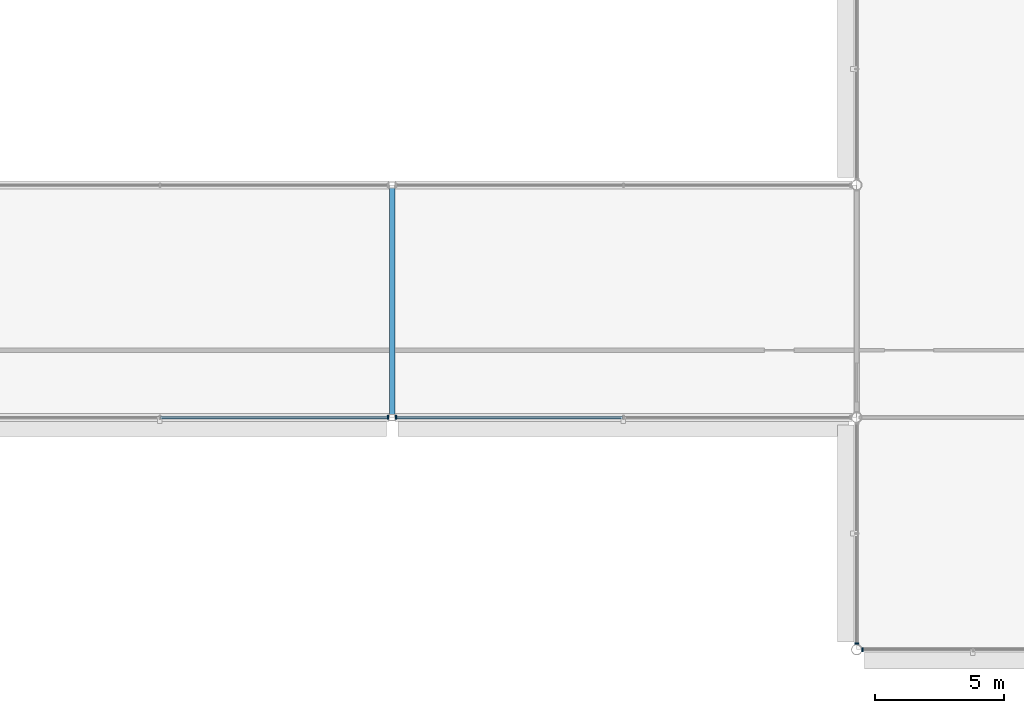
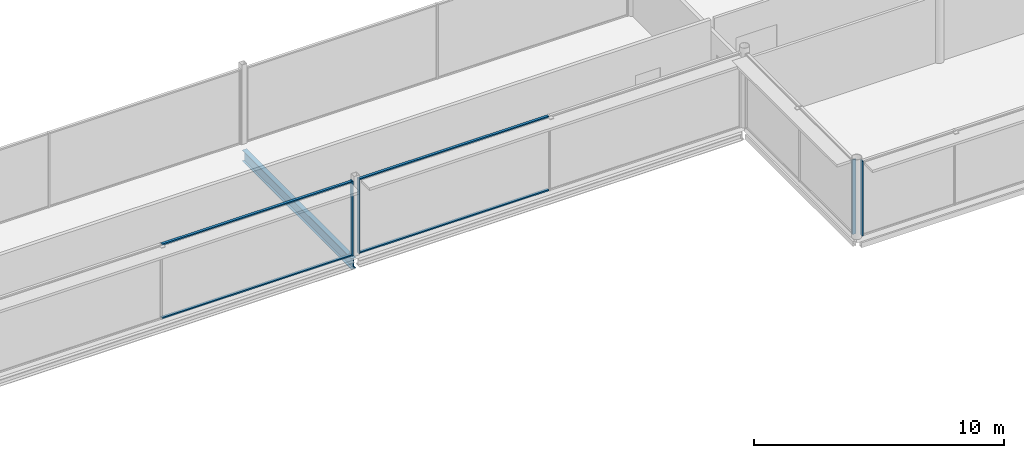
# One storey, part 39 of 96: 8 members, 1 beam, 4 elements without a shape of their own.
"""IFC4 building model written with IfcOpenShell, lengths in metres."""

from ifc_helpers import new_model, si_unit, direction, frame, origin, origin_2d, place, context, subcontext, project, spatial, rectangle, i_section, extrude, material, layer, layer_set, material_profile, profile_set, type_object, element, aggregate, save


model = new_model("IFC4")

# Units and contexts
model_context = context("Model", 3, precision=1e-05, world=origin(), true_north=direction((0.0, 1.0)))
body_context = subcontext(model_context, "Body", "Model", "MODEL_VIEW")
ifc_project = project(units=[si_unit("LENGTHUNIT", "METRE"), si_unit("AREAUNIT", "SQUARE_METRE"), si_unit("VOLUMEUNIT", "CUBIC_METRE"), si_unit("PLANEANGLEUNIT", "RADIAN"), si_unit("MASSUNIT", "GRAM", prefix="KILO")], contexts=[model_context])

# Site, building, storey
site_placement = place(None, origin())
site = spatial("IfcSite", under=ifc_project, at=site_placement, CompositionType="ELEMENT")
building_placement = place(site_placement, origin())
building = spatial("IfcBuilding", under=site, at=building_placement, Name="Kisiwana Market Hall", CompositionType="ELEMENT")
storey_placement = place(building_placement, frame((0.0, 0.0, 25.5)))
storey = spatial("IfcBuildingStorey", under=building, at=storey_placement, Name="L05", CompositionType="ELEMENT", Elevation=25.5)

# Beam
ifc_material_1 = material(Name="Steel S355", Category="steel")
ifc_material_profile_1 = material_profile(ifc_material_1, i_section(OverallWidth=0.209228515625, OverallDepth=0.533203125, WebThickness=0.010009765625, FlangeThickness=0.015625, at=origin_2d()), Name="UB 533x210x92")
ifc_profile_set_1 = profile_set([ifc_material_profile_1], Name="Steel S355")
beam_type = type_object("IfcBeamType", Name="BM-GIRD-UB533", PredefinedType="BEAM", material=ifc_profile_set_1)
beam_placement = place(storey_placement, frame((135.0, 18.12109375, -0.531494140625), z_axis=(0.0, 1.0, 0.0), x_axis=(-1.0, 0.0, 0.0)))
element("IfcBeam", 1, at=beam_placement, inside=storey, type_object=beam_type, Name="Primary girder B-1547", PredefinedType="BEAM", context=body_context, shape_type="SweptSolid", body=[
    extrude(i_section(OverallWidth=0.209228515625, OverallDepth=0.533203125, WebThickness=0.010009765625, FlangeThickness=0.015625, at=origin_2d()), origin(), (0.0, 0.0, 1.0), 8.7578125),
])

# Curtain wall, member
ifc_material_2 = material(Name="Double-glazed solar-control low-E IGU", Category="glass")
ifc_layer = layer(ifc_material_2, 0.159912109375)
ifc_layer_set = layer_set([ifc_layer], Name="CW-ZNA-EW-8200")
curtain_wall_type = type_object("IfcCurtainWallType", Name="CW-ZNA-EW-8200", PredefinedType="USERDEFINED", material=ifc_layer_set)
curtain_wall_1_placement = place(storey_placement, origin())
curtain_wall_1 = element("IfcCurtainWall", 2, at=curtain_wall_1_placement, inside=storey, type_object=curtain_wall_type, Name="Unitised curtain wall CW-131 (L05)", ObjectType="UNITISED CURTAIN WALL", PredefinedType="USERDEFINED")
ifc_material_3 = material(Name="Aluminium alloy 6063-T6", Category="aluminium")
ifc_material_profile_2 = material_profile(ifc_material_3, rectangle(XDim=0.06005859375, YDim=0.159912109375, at=origin_2d()), Name="ALU MULLION 60x160")
ifc_profile_set_2 = profile_set([ifc_material_profile_2], Name="Aluminium alloy 6063-T6")
member_type_1 = type_object("IfcMemberType", Name="CW-MULL-60x160", PredefinedType="MULLION", material=ifc_profile_set_2)
member_1_placement = place(storey_placement, frame((153.233154296875, 9.0, 0.0), z_axis=(0.0, 0.0, 1.0), x_axis=(1.0, 0.0, 0.0)))
member_1 = element("IfcMember", 3, at=member_1_placement, type_object=member_type_1, Name="CW-131 mullion 1", PredefinedType="MULLION", context=body_context, shape_type="SweptSolid", body=[
    extrude(rectangle(XDim=0.06005859375, YDim=0.159912109375, at=origin_2d()), origin(), (0.0, 0.0, 1.0), 3.655029296875),
])
aggregate(curtain_wall_1, [member_1])

curtain_wall_2_placement = place(storey_placement, origin())
curtain_wall_2 = element("IfcCurtainWall", 4, at=curtain_wall_2_placement, inside=storey, type_object=curtain_wall_type, Name="Unitised curtain wall CW-136 (L05)", ObjectType="UNITISED CURTAIN WALL", PredefinedType="USERDEFINED")
member_2_placement = place(storey_placement, frame((134.844970703125, 18.0, 0.0), z_axis=(0.0, 0.0, 1.0), x_axis=(1.0, 0.0, 0.0)))
member_2 = element("IfcMember", 5, at=member_2_placement, type_object=member_type_1, Name="CW-136 mullion 3", PredefinedType="MULLION", context=body_context, shape_type="SweptSolid", body=[
    extrude(rectangle(XDim=0.06005859375, YDim=0.159912109375, at=origin_2d()), origin(), (0.0, 0.0, 1.0), 3.655029296875),
])

curtain_wall_3_placement = place(storey_placement, origin())
curtain_wall_3 = element("IfcCurtainWall", 6, at=curtain_wall_3_placement, inside=storey, type_object=curtain_wall_type, Name="Unitised curtain wall CW-137 (L05)", ObjectType="UNITISED CURTAIN WALL", PredefinedType="USERDEFINED")
member_3_placement = place(storey_placement, frame((135.155029296875, 18.0, 0.0), z_axis=(0.0, 0.0, 1.0), x_axis=(1.0, 0.0, 0.0)))
member_3 = element("IfcMember", 7, at=member_3_placement, type_object=member_type_1, Name="CW-137 mullion 1", PredefinedType="MULLION", context=body_context, shape_type="SweptSolid", body=[
    extrude(rectangle(XDim=0.06005859375, YDim=0.159912109375, at=origin_2d()), origin(), (0.0, 0.0, 1.0), 3.655029296875),
])

curtain_wall_4_placement = place(storey_placement, origin())
curtain_wall_4 = element("IfcCurtainWall", 8, at=curtain_wall_4_placement, inside=storey, type_object=curtain_wall_type, Name="Unitised curtain wall CW-164 (L05)", ObjectType="UNITISED CURTAIN WALL", PredefinedType="USERDEFINED")
member_4_placement = place(storey_placement, frame((153.0, 9.233154296875, 0.0), z_axis=(0.0, 0.0, 1.0), x_axis=(0.0, 1.0, 0.0)))
member_4 = element("IfcMember", 9, at=member_4_placement, type_object=member_type_1, Name="CW-164 mullion 1", PredefinedType="MULLION", context=body_context, shape_type="SweptSolid", body=[
    extrude(rectangle(XDim=0.06005859375, YDim=0.159912109375, at=origin_2d()), origin(), (0.0, 0.0, 1.0), 3.655029296875),
])
aggregate(curtain_wall_4, [member_4])

# Member
ifc_material_4 = material(Name="Aluminium alloy 6063-T6", Category="aluminium")
ifc_material_profile_3 = material_profile(ifc_material_4, rectangle(XDim=0.1201171875, YDim=0.06005859375, at=origin_2d()), Name="ALU TRANSOM 60x120")
ifc_profile_set_3 = profile_set([ifc_material_profile_3], Name="Aluminium alloy 6063-T6")
member_type_2 = type_object("IfcMemberType", Name="CW-TRAN-60x120", PredefinedType="USERDEFINED", material=ifc_profile_set_3)
member_5_placement = place(storey_placement, frame((126.030029296875, 18.0, 0.030029296875), z_axis=(1.0, 0.0, 0.0), x_axis=(0.0, 1.0, 0.0)))
member_5 = element("IfcMember", 10, at=member_5_placement, type_object=member_type_2, Name="CW-136 transom 2.1", ObjectType="TRANSOM", PredefinedType="USERDEFINED", context=body_context, shape_type="SweptSolid", body=[
    extrude(rectangle(XDim=0.1201171875, YDim=0.06005859375, at=origin_2d()), origin(), (0.0, 0.0, 1.0), 8.784912109375),
])

member_6_placement = place(storey_placement, frame((126.030029296875, 18.0, 3.625), z_axis=(1.0, 0.0, 0.0), x_axis=(0.0, 1.0, 0.0)))
member_6 = element("IfcMember", 11, at=member_6_placement, type_object=member_type_2, Name="CW-136 transom 2.2", ObjectType="TRANSOM", PredefinedType="USERDEFINED", context=body_context, shape_type="SweptSolid", body=[
    extrude(rectangle(XDim=0.1201171875, YDim=0.06005859375, at=origin_2d()), origin(), (0.0, 0.0, 1.0), 8.784912109375),
])

aggregate(curtain_wall_2, [member_2, member_5, member_6])

member_7_placement = place(storey_placement, frame((135.18505859375, 18.0, 0.030029296875), z_axis=(1.0, 0.0, 0.0), x_axis=(0.0, 1.0, 0.0)))
member_7 = element("IfcMember", 12, at=member_7_placement, type_object=member_type_2, Name="CW-137 transom 1.1", ObjectType="TRANSOM", PredefinedType="USERDEFINED", context=body_context, shape_type="SweptSolid", body=[
    extrude(rectangle(XDim=0.1201171875, YDim=0.06005859375, at=origin_2d()), origin(), (0.0, 0.0, 1.0), 8.745849609375),
])

member_8_placement = place(storey_placement, frame((135.18505859375, 18.0, 3.625), z_axis=(1.0, 0.0, 0.0), x_axis=(0.0, 1.0, 0.0)))
member_8 = element("IfcMember", 13, at=member_8_placement, type_object=member_type_2, Name="CW-137 transom 1.2", ObjectType="TRANSOM", PredefinedType="USERDEFINED", context=body_context, shape_type="SweptSolid", body=[
    extrude(rectangle(XDim=0.1201171875, YDim=0.06005859375, at=origin_2d()), origin(), (0.0, 0.0, 1.0), 8.745849609375),
])

aggregate(curtain_wall_3, [member_3, member_7, member_8])

save(model, "model.ifc")
